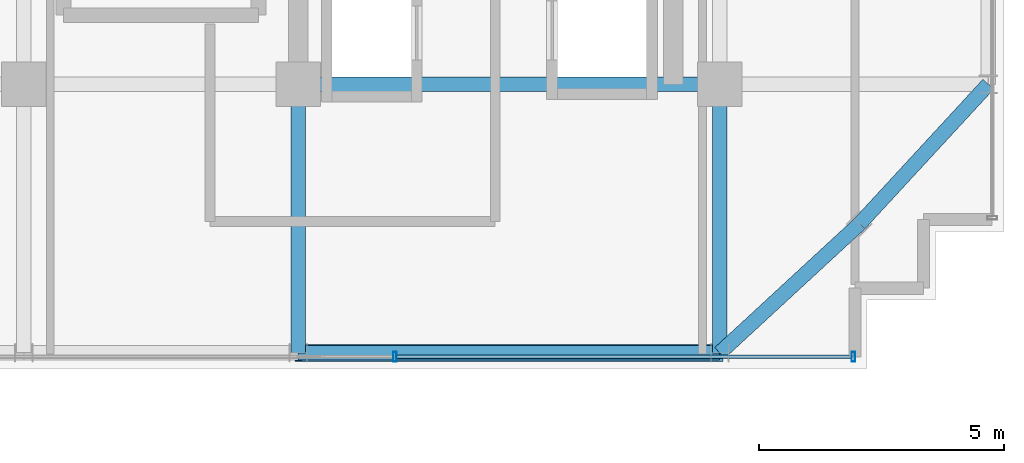
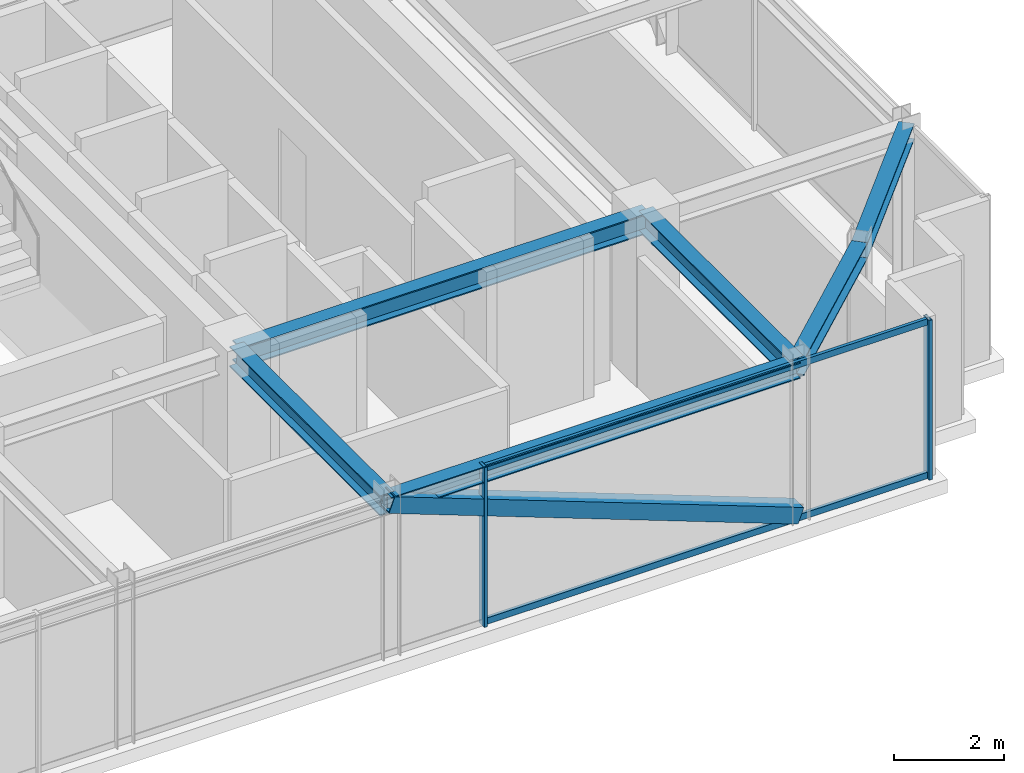
# One storey, part 14 of 37: 6 beams, 5 members, 1 element without a shape of its own.
"""IFC4 building model written with IfcOpenShell, lengths in metres."""

from ifc_helpers import new_model, si_unit, direction, frame, origin, origin_2d, place, context, subcontext, project, spatial, hollow_rectangle, i_section, extrude, source, transform, mapped, material, material_profile, profile_set, type_object, element, aggregate, save


model = new_model("IFC4")

# Units and contexts
model_context = context("Model", 3, precision=1e-05, world=origin(), true_north=direction((0.0, 1.0)))
body_context = subcontext(model_context, "Body", "Model", "MODEL_VIEW")
ifc_project = project(units=[si_unit("LENGTHUNIT", "METRE"), si_unit("AREAUNIT", "SQUARE_METRE"), si_unit("VOLUMEUNIT", "CUBIC_METRE"), si_unit("PLANEANGLEUNIT", "RADIAN"), si_unit("MASSUNIT", "GRAM", prefix="KILO")], contexts=[model_context])

# Site, building, storey
site_placement = place(None, origin())
site = spatial("IfcSite", under=ifc_project, at=site_placement, CompositionType="ELEMENT")
building_placement = place(site_placement, origin())
building = spatial("IfcBuilding", under=site, at=building_placement, Name="Nahalor Promenade Grand Hotel", CompositionType="ELEMENT")
storey_placement = place(building_placement, frame((0.0, 0.0, 308.050048828125)))
storey = spatial("IfcBuildingStorey", under=building, at=storey_placement, Name="L79", CompositionType="ELEMENT", Elevation=308.050048828125)

# Beams
ifc_material_1 = material(Name="Steel S355JR", Category="steel")
ifc_material_profile_1 = material_profile(ifc_material_1, i_section(OverallWidth=0.3, OverallDepth=0.45, WebThickness=0.014, FlangeThickness=0.026, at=origin_2d()), Name="HEB 450")
ifc_profile_set_1 = profile_set([ifc_material_profile_1], Name="Steel S355JR")
beam_type_1 = type_object("IfcBeamType", Name="Beam-Girder-HEB450", PredefinedType="BEAM", material=ifc_profile_set_1)
shared_shape_1 = source(origin(), body_context, "Body", "SweptSolid", [
    extrude(i_section(OverallWidth=0.3, OverallDepth=0.45, WebThickness=0.014, FlangeThickness=0.026, at=origin_2d()), origin(), (0.0, 0.0, 1.0), 8.60009765625),
])
beam_1_placement = place(storey_placement, frame((8.39990234375, -17.0, 3.324951171875), z_axis=(1.0, 0.0, 0.0), x_axis=(0.0, 1.0, 0.0)))
element("IfcBeam", 1, at=beam_1_placement, inside=storey, type_object=beam_type_1, Name="BM-L79-GX-0-5", PredefinedType="BEAM", context=body_context, shape_type="MappedRepresentation", body=[
    mapped(shared_shape_1, transform((0.0, 0.0, 0.0), scale=1.0)),
])
shared_shape_2 = source(origin(), body_context, "Body", "SweptSolid", [
    extrude(i_section(OverallWidth=0.3, OverallDepth=0.45, WebThickness=0.014, FlangeThickness=0.026, at=origin_2d()), origin(), (0.0, 0.0, 1.0), 5.47998046875),
])
for number, where, z_axis, x_axis, name in (
    (2, (8.39990234375, -22.47998046875, 3.324951171875), (0.0, 1.0, 0.0), (-1.0, 0.0, 0.0), "BM-L79-GY-4-0"),
    (3, (17.0, -22.47998046875, 3.324951171875), (0.0, 1.0, 0.0), (-1.0, 0.0, 0.0), "BM-L79-GY-5-0"),
):
    element("IfcBeam", number, at=place(storey_placement, frame(where, z_axis=z_axis, x_axis=x_axis)), inside=storey, type_object=beam_type_1, Name=name, PredefinedType="BEAM", context=body_context, shape_type="MappedRepresentation", body=[
        mapped(shared_shape_2, transform((0.0, 0.0, 0.0), scale=1.0)),
    ])
ifc_material_profile_2 = material_profile(ifc_material_1, i_section(OverallWidth=0.3, OverallDepth=0.36, WebThickness=0.0125, FlangeThickness=0.0225, at=origin_2d()), Name="HEB 360")
ifc_profile_set_2 = profile_set([ifc_material_profile_2], Name="Steel S355JR")
beam_type_2 = type_object("IfcBeamType", Name="Beam-Spandrel-HEB360", PredefinedType="SPANDREL", material=ifc_profile_set_2)
shared_shape_3 = source(origin(), body_context, "Body", "SweptSolid", [
    extrude(i_section(OverallWidth=0.3, OverallDepth=0.36, WebThickness=0.0125, FlangeThickness=0.0225, at=origin_2d()), origin(), (0.0, 0.0, 1.0), 8.60009765625),
])
beam_2_placement = place(storey_placement, frame((8.39990234375, -22.47998046875, 3.369873046875), z_axis=(1.0, 0.0, 0.0), x_axis=(0.0, 1.0, 0.0)))
element("IfcBeam", 4, at=beam_2_placement, inside=storey, type_object=beam_type_2, Name="BM-L79-SP-S-4", PredefinedType="SPANDREL", context=body_context, shape_type="MappedRepresentation", body=[
    mapped(shared_shape_3, transform((0.0, 0.0, 0.0), scale=1.0)),
])
shared_shape_4 = source(origin(), body_context, "Body", "SweptSolid", [
    extrude(i_section(OverallWidth=0.3, OverallDepth=0.36, WebThickness=0.0125, FlangeThickness=0.0225, at=origin_2d()), origin(), (0.0, 0.0, 1.0), 3.878173828125),
])
for number, where, z_axis, x_axis, name in (
    (5, (17.0, -22.47998046875, 3.369873046875), (0.73492893846, 0.678144125843, 0.0), (-0.678144125843, 0.73492893846, 0.0), "BM-L79-SPC-SE-1"),
    (6, (19.85009765625, -19.85009765625, 3.369873046875), (0.678144125843, 0.73492893846, 0.0), (-0.73492893846, 0.678144125843, 0.0), "BM-L79-SPC-SE-2"),
):
    element("IfcBeam", number, at=place(storey_placement, frame(where, z_axis=z_axis, x_axis=x_axis)), inside=storey, type_object=beam_type_2, Name=name, PredefinedType="SPANDREL", context=body_context, shape_type="MappedRepresentation", body=[
        mapped(shared_shape_4, transform((0.0, 0.0, 0.0), scale=1.0)),
    ])

# Member
ifc_material_profile_3 = material_profile(ifc_material_1, hollow_rectangle(XDim=0.35, YDim=0.35, WallThickness=0.02, at=origin_2d()), Name="SHS 350x350x20")
ifc_profile_set_3 = profile_set([ifc_material_profile_3], Name="Steel S355JR")
member_type_1 = type_object("IfcMemberType", Name="Mem-VoidBrace-SHS350", PredefinedType="BRACE", material=ifc_profile_set_3)
shared_shape_5 = source(origin(), body_context, "Body", "SweptSolid", [
    extrude(hollow_rectangle(XDim=0.35, YDim=0.35, WallThickness=0.02, at=origin_2d()), origin(), (0.0, 0.0, 1.0), 9.193603515625),
])
member_1_placement = place(storey_placement, frame((17.0, -22.47998046875, 0.14990234375), z_axis=(-0.935433460247, 0.0, 0.353502816749), x_axis=(0.0, -1.0, 0.0)))
element("IfcMember", 7, at=member_1_placement, inside=storey, type_object=member_type_1, Name="EXO-L79-S-1", PredefinedType="BRACE", context=body_context, shape_type="MappedRepresentation", body=[
    mapped(shared_shape_5, transform((0.0, 0.0, 0.0), scale=1.0)),
])

# Curtain wall, members
ifc_material_2 = material(Name="Anodised Bronze Aluminium EN AW-6063 T6", Category="aluminium")
curtain_wall_type = type_object("IfcCurtainWallType", Name="CW3 Elliptical-Void Collar Unitised Curtain Wall", PredefinedType="USERDEFINED", material=ifc_material_2)
curtain_wall_placement = place(storey_placement, origin())
curtain_wall = element("IfcCurtainWall", 8, at=curtain_wall_placement, inside=storey, type_object=curtain_wall_type, Name="L79 Curtain Wall CW-L79-S-3", ObjectType="UNITISED_CURTAIN_WALL", PredefinedType="USERDEFINED")
ifc_material_profile_4 = material_profile(ifc_material_2, hollow_rectangle(XDim=0.07, YDim=0.14, WallThickness=0.004, at=origin_2d()), Name="CWT 70x140x4")
ifc_profile_set_4 = profile_set([ifc_material_profile_4], Name="Anodised Bronze Aluminium EN AW-6063 T6")
member_type_2 = type_object("IfcMemberType", Name="CWT3 Void Collar Transom 70x140", PredefinedType="USERDEFINED", material=ifc_profile_set_4)
shared_shape_6 = source(origin(), body_context, "Body", "SweptSolid", [
    extrude(hollow_rectangle(XDim=0.07, YDim=0.14, WallThickness=0.004, at=origin_2d()), origin(), (0.0, 0.0, 1.0), 9.281494140625),
])
member_2_placement = place(storey_placement, frame((10.408447265625, -22.56005859375, 0.070068359375), z_axis=(1.0, 0.0, 0.0), x_axis=(0.0, 1.0, 0.0)))
member_2 = element("IfcMember", 9, at=member_2_placement, type_object=member_type_2, Name="CW-L79-S-3 Transom 2-0", ObjectType="TRANSOM", PredefinedType="USERDEFINED", context=body_context, shape_type="MappedRepresentation", body=[
    mapped(shared_shape_6, transform((0.0, 0.0, 0.0), scale=1.0)),
])
member_3_placement = place(storey_placement, frame((10.408447265625, -22.56005859375, 3.47998046875), z_axis=(1.0, 0.0, 0.0), x_axis=(0.0, 1.0, 0.0)))
member_3 = element("IfcMember", 10, at=member_3_placement, type_object=member_type_2, Name="CW-L79-S-3 Transom 2-1", ObjectType="TRANSOM", PredefinedType="USERDEFINED", context=body_context, shape_type="MappedRepresentation", body=[
    mapped(shared_shape_6, transform((0.0, 0.0, 0.0), scale=1.0)),
])
ifc_material_profile_5 = material_profile(ifc_material_2, hollow_rectangle(XDim=0.07, YDim=0.2, WallThickness=0.005, at=origin_2d()), Name="CWM 70x200x5")
ifc_profile_set_5 = profile_set([ifc_material_profile_5], Name="Anodised Bronze Aluminium EN AW-6063 T6")
member_type_3 = type_object("IfcMemberType", Name="CWM3 Void Collar Mullion 70x200", PredefinedType="MULLION", material=ifc_profile_set_5)
shared_shape_7 = source(origin(), body_context, "Body", "SweptSolid", [
    extrude(hollow_rectangle(XDim=0.07, YDim=0.2, WallThickness=0.005, at=origin_2d()), origin(), (0.0, 0.0, 1.0), 3.550048828125),
])
member_4_placement = place(storey_placement, frame((10.373291015625, -22.56005859375, 0.0), z_axis=(0.0, 0.0, 1.0), x_axis=(1.0, 0.0, 0.0)))
member_4 = element("IfcMember", 11, at=member_4_placement, type_object=member_type_3, Name="CW-L79-S-3 Mullion 2", PredefinedType="MULLION", context=body_context, shape_type="MappedRepresentation", body=[
    mapped(shared_shape_7, transform((0.0, 0.0, 0.0), scale=1.0)),
])
member_5_placement = place(storey_placement, frame((19.72509765625, -22.56005859375, 0.0), z_axis=(0.0, 0.0, 1.0), x_axis=(1.0, 0.0, 0.0)))
member_5 = element("IfcMember", 12, at=member_5_placement, type_object=member_type_3, Name="CW-L79-S-3 Mullion 3", PredefinedType="MULLION", context=body_context, shape_type="MappedRepresentation", body=[
    mapped(shared_shape_7, transform((0.0, 0.0, 0.0), scale=1.0)),
])
aggregate(curtain_wall, [member_4, member_5, member_2, member_3])

save(model, "model.ifc")
